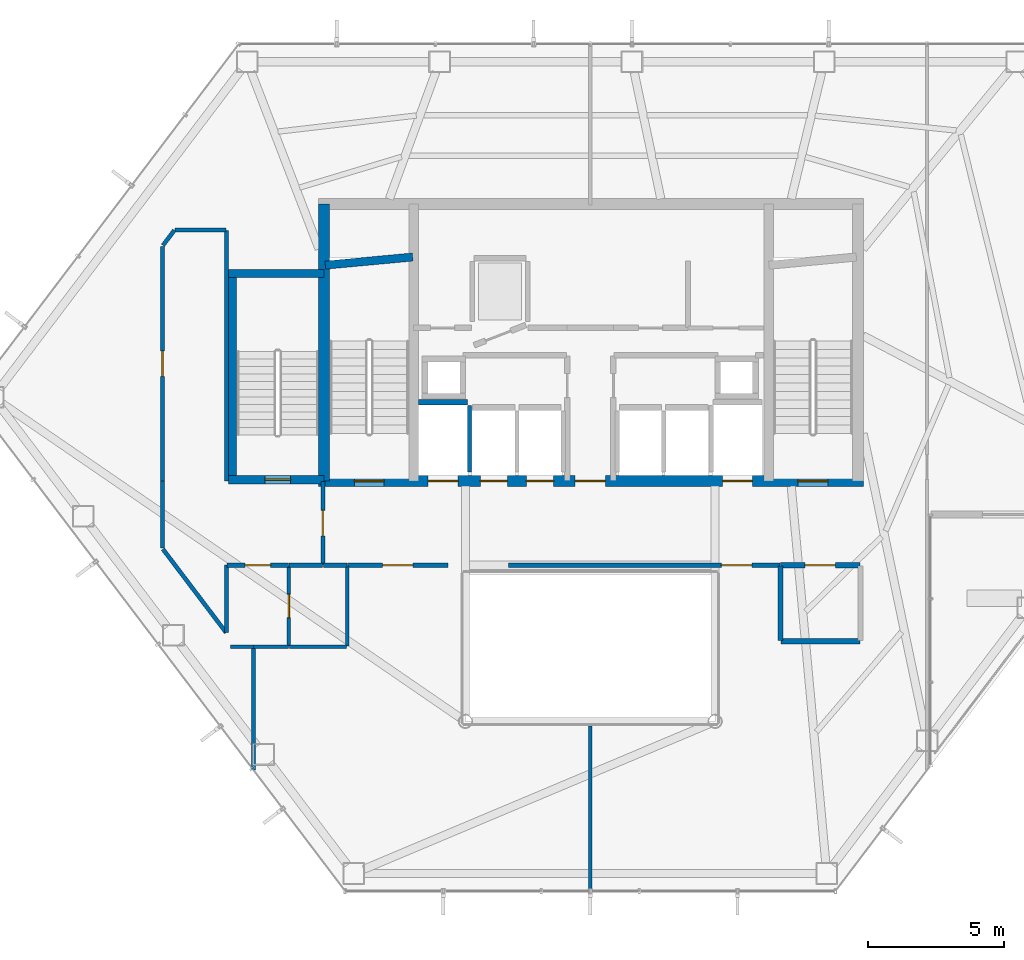
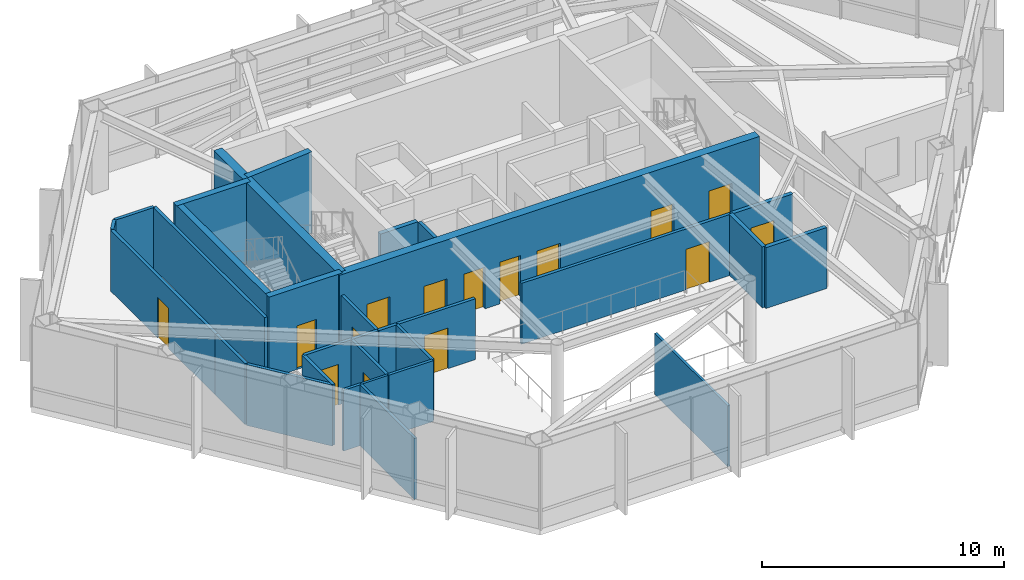
# One storey, part 22 of 27: 31 walls, 15 doors, 15 openings.
"""IFC4 building model written with IfcOpenShell, lengths in metres."""

from ifc_helpers import new_model, si_unit, direction, frame, frame_2d, origin, place, context, subcontext, project, spatial, rectangle, extrude, material, layer, layer_set, type_object, element, fill, save


model = new_model("IFC4")

# Units and contexts
model_context = context("Model", 3, precision=1e-05, world=origin(), true_north=direction((0.0, 1.0)))
body_context = subcontext(model_context, "Body", "Model", "MODEL_VIEW")
ifc_project = project(units=[si_unit("LENGTHUNIT", "METRE"), si_unit("AREAUNIT", "SQUARE_METRE"), si_unit("VOLUMEUNIT", "CUBIC_METRE"), si_unit("PLANEANGLEUNIT", "RADIAN"), si_unit("MASSUNIT", "GRAM", prefix="KILO")], contexts=[model_context])

# Site, building, storey
site_placement = place(None, origin())
site = spatial("IfcSite", under=ifc_project, at=site_placement, CompositionType="ELEMENT")
building_placement = place(site_placement, origin())
building = spatial("IfcBuilding", under=site, at=building_placement, Name="Zarrinselat Tower", CompositionType="ELEMENT")
storey_placement = place(building_placement, frame((0.0, 0.0, 114.580078125)))
storey = spatial("IfcBuildingStorey", under=building, at=storey_placement, Name="L27", CompositionType="ELEMENT", Elevation=114.580078125)

# Wall, opening, door
ifc_material_1 = material(Name="Concrete C40/50", Category="concrete")
ifc_layer_1 = layer(ifc_material_1, 0.18994140625)
ifc_layer_set_1 = layer_set([ifc_layer_1], Name="Concrete C40/50")
wall_type_1 = type_object("IfcWallType", Name="WAL-PART-EI120", PredefinedType="PARTITIONING", material=ifc_layer_set_1)
wall_1_placement = place(storey_placement, frame((45.405029296875, 30.14990234375, 0.0), z_axis=(0.0, 0.0, 1.0), x_axis=(1.0, 0.0, 0.0)))
wall_1 = element("IfcWall", 1, at=wall_1_placement, inside=storey, type_object=wall_type_1, Name="L27 Partition Wall 12", PredefinedType="PARTITIONING", context=body_context, shape_type="SweptSolid", body=[
    extrude(rectangle(XDim=2.925048828125, YDim=0.18994140625, at=frame_2d((1.46240234375, 0.0))), origin(), (0.0, 0.0, 1.0), 3.076904296875),
])
opening_1_placement = place(wall_1_placement, frame((0.902587890625, 0.0, 0.0)))
opening_1 = element("IfcOpeningElement", 2, at=opening_1_placement, cuts=wall_1, Name="Opening ID-02", PredefinedType="OPENING", context=body_context, shape_type="SweptSolid", body=[
    extrude(rectangle(XDim=1.1201171875, YDim=2.050048828125, at=frame_2d((0.56005859375, 1.02490234375))), frame((0.0, 0.10498046875, 0.0), z_axis=(0.0, -1.0, 0.0), x_axis=(1.0, 0.0, 0.0)), (0.0, 0.0, 1.0), 0.2099609375),
])
ifc_material_2 = material(Name="Steel S355J2", Category="steel")
door_type_1 = type_object("IfcDoorType", Name="DR-INT-FD60-W", OperationType="NOTDEFINED", PredefinedType="DOOR", material=ifc_material_2)
door_1_placement = place(opening_1_placement, origin())
door_1 = element("IfcDoor", 3, at=door_1_placement, inside=storey, type_object=door_type_1, Name="L27 Interior Door P12", OperationType="SINGLE_SWING_LEFT", OverallHeight=2.050048828125, OverallWidth=1.1201171875, PredefinedType="DOOR", context=body_context, shape_type="SweptSolid", body=[
    extrude(rectangle(XDim=1.1201171875, YDim=2.050048828125, at=frame_2d((0.56005859375, 1.02490234375))), frame((0.0, 0.02490234375, 0.0), z_axis=(0.0, -1.0, 0.0), x_axis=(1.0, 0.0, 0.0)), (0.0, 0.0, 1.0), 0.050048828125),
])
fill(opening_1, door_1)

# Walls
wall_2_placement = place(storey_placement, frame((45.419921875, 27.35009765625, 0.0), z_axis=(0.0, 0.0, 1.0), x_axis=(1.0, 0.0, 0.0)))
element("IfcWall", 4, at=wall_2_placement, inside=storey, type_object=wall_type_1, Name="L27 Partition Wall 17", PredefinedType="PARTITIONING", context=body_context, shape_type="SweptSolid", body=[
    extrude(rectangle(XDim=2.91015625, YDim=0.18994140625, at=frame_2d((1.455078125, 0.0))), origin(), (0.0, 0.0, 1.0), 3.076904296875),
])
wall_3_placement = place(storey_placement, frame((45.39990234375, 27.3701171875, 0.0), z_axis=(0.0, 0.0, 1.0), x_axis=(0.0, 1.0, 0.0)))
element("IfcWall", 5, at=wall_3_placement, inside=storey, type_object=wall_type_1, Name="L27 Partition Wall 18", PredefinedType="PARTITIONING", context=body_context, shape_type="SweptSolid", body=[
    extrude(rectangle(XDim=2.759765625, YDim=0.18994140625, at=frame_2d((1.3798828125, 0.0))), origin(), (0.0, 0.0, 1.0), 3.076904296875),
])

# Wall, opening, door
ifc_material_3 = material(Name="Fire-Rated Gypsum Board Partition", Category="gypsum")
ifc_layer_2 = layer(ifc_material_3, 0.14990234375)
ifc_layer_set_2 = layer_set([ifc_layer_2], Name="Fire-Rated Gypsum Board Partition")
wall_type_2 = type_object("IfcWallType", Name="WAL-PART-EI60", PredefinedType="PARTITIONING", material=ifc_layer_set_2)
wall_4_placement = place(storey_placement, frame((28.550048828125, 30.169921875, 0.0), z_axis=(0.0, 0.0, 1.0), x_axis=(0.0, 1.0, 0.0)))
wall_4 = element("IfcWall", 6, at=wall_4_placement, inside=storey, type_object=wall_type_2, Name="L27 Partition Wall 13", PredefinedType="PARTITIONING", context=body_context, shape_type="SweptSolid", body=[
    extrude(rectangle(XDim=3.065185546875, YDim=0.14990234375, at=frame_2d((1.53271484375, 0.0))), origin(), (0.0, 0.0, 1.0), 3.076904296875),
])
opening_2_placement = place(wall_4_placement, frame((1.0625, 0.0, 0.0)))
opening_2 = element("IfcOpeningElement", 7, at=opening_2_placement, cuts=wall_4, Name="Opening ID-04", PredefinedType="OPENING", context=body_context, shape_type="SweptSolid", body=[
    extrude(rectangle(XDim=0.93994140625, YDim=2.050048828125, at=frame_2d((0.469970703125, 1.02490234375))), frame((0.0, 0.0849609375, 0.0), z_axis=(0.0, -1.0, 0.0), x_axis=(1.0, 0.0, 0.0)), (0.0, 0.0, 1.0), 0.169921875),
])
ifc_material_4 = material(Name="Fire-Rated Gypsum Board Partition")
door_type_2 = type_object("IfcDoorType", Name="DR-INT-FD30-ENT", OperationType="NOTDEFINED", PredefinedType="DOOR", material=ifc_material_4)
door_2_placement = place(opening_2_placement, origin())
door_2 = element("IfcDoor", 8, at=door_2_placement, inside=storey, type_object=door_type_2, Name="L27 Interior Door P13", OperationType="SINGLE_SWING_RIGHT", OverallHeight=2.050048828125, OverallWidth=0.93994140625, PredefinedType="DOOR", context=body_context, shape_type="SweptSolid", body=[
    extrude(rectangle(XDim=0.93994140625, YDim=2.050048828125, at=frame_2d((0.469970703125, 1.02490234375))), frame((0.0, 0.02490234375, 0.0), z_axis=(0.0, -1.0, 0.0), x_axis=(1.0, 0.0, 0.0)), (0.0, 0.0, 1.0), 0.050048828125),
])
fill(opening_2, door_2)

# Wall
wall_5_placement = place(storey_placement, frame((28.570068359375, 30.14990234375, 0.0), z_axis=(0.0, 0.0, 1.0), x_axis=(1.0, 0.0, 0.0)))
element("IfcWall", 9, at=wall_5_placement, inside=storey, type_object=wall_type_2, Name="L27 Partition Wall 14", PredefinedType="PARTITIONING", context=body_context, shape_type="SweptSolid", body=[
    extrude(rectangle(XDim=0.875, YDim=0.14990234375, at=frame_2d((0.4375, 0.0))), origin(), (0.0, 0.0, 1.0), 3.076904296875),
])

# Wall, opening, door
wall_6_placement = place(storey_placement, frame((29.455078125, 30.14990234375, 0.0), z_axis=(0.0, 0.0, 1.0), x_axis=(1.0, 0.0, 0.0)))
wall_6 = element("IfcWall", 10, at=wall_6_placement, inside=storey, type_object=wall_type_2, Name="L27 Partition Wall 15", PredefinedType="PARTITIONING", context=body_context, shape_type="SweptSolid", body=[
    extrude(rectangle(XDim=3.7099609375, YDim=0.14990234375, at=frame_2d((1.85498046875, 0.0))), origin(), (0.0, 0.0, 1.0), 3.076904296875),
])
opening_3_placement = place(wall_6_placement, frame((1.294921875, 0.0, 0.0)))
opening_3 = element("IfcOpeningElement", 11, at=opening_3_placement, cuts=wall_6, Name="Opening ID-02", PredefinedType="OPENING", context=body_context, shape_type="SweptSolid", body=[
    extrude(rectangle(XDim=1.1201171875, YDim=2.050048828125, at=frame_2d((0.56005859375, 1.02490234375))), frame((0.0, 0.0849609375, 0.0), z_axis=(0.0, -1.0, 0.0), x_axis=(1.0, 0.0, 0.0)), (0.0, 0.0, 1.0), 0.169921875),
])
door_3_placement = place(opening_3_placement, origin())
door_3 = element("IfcDoor", 12, at=door_3_placement, inside=storey, type_object=door_type_1, Name="L27 Interior Door P15", OperationType="SINGLE_SWING_LEFT", OverallHeight=2.050048828125, OverallWidth=1.1201171875, PredefinedType="DOOR", context=body_context, shape_type="SweptSolid", body=[
    extrude(rectangle(XDim=1.1201171875, YDim=2.050048828125, at=frame_2d((0.56005859375, 1.02490234375))), frame((0.0, 0.02490234375, 0.0), z_axis=(0.0, -1.0, 0.0), x_axis=(1.0, 0.0, 0.0)), (0.0, 0.0, 1.0), 0.050048828125),
])
fill(opening_3, door_3)

wall_7_placement = place(storey_placement, frame((35.385009765625, 30.14990234375, 0.0), z_axis=(0.0, 0.0, 1.0), x_axis=(1.0, 0.0, 0.0)))
wall_7 = element("IfcWall", 13, at=wall_7_placement, inside=storey, type_object=wall_type_2, Name="L27 Partition Wall 16", PredefinedType="PARTITIONING", context=body_context, shape_type="SweptSolid", body=[
    extrude(rectangle(XDim=10.010009765625, YDim=0.14990234375, at=frame_2d((5.0048828125, 0.0))), origin(), (0.0, 0.0, 1.0), 3.076904296875),
])
opening_4_placement = place(wall_7_placement, frame((7.844970703125, 0.0, 0.0)))
opening_4 = element("IfcOpeningElement", 14, at=opening_4_placement, cuts=wall_7, Name="Opening ID-02", PredefinedType="OPENING", context=body_context, shape_type="SweptSolid", body=[
    extrude(rectangle(XDim=1.1201171875, YDim=2.050048828125, at=frame_2d((0.56005859375, 1.02490234375))), frame((0.0, 0.0849609375, 0.0), z_axis=(0.0, -1.0, 0.0), x_axis=(1.0, 0.0, 0.0)), (0.0, 0.0, 1.0), 0.169921875),
])
door_4_placement = place(opening_4_placement, origin())
door_4 = element("IfcDoor", 15, at=door_4_placement, inside=storey, type_object=door_type_1, Name="L27 Interior Door P16", OperationType="SINGLE_SWING_RIGHT", OverallHeight=2.050048828125, OverallWidth=1.1201171875, PredefinedType="DOOR", context=body_context, shape_type="SweptSolid", body=[
    extrude(rectangle(XDim=1.1201171875, YDim=2.050048828125, at=frame_2d((0.56005859375, 1.02490234375))), frame((0.0, 0.02490234375, 0.0), z_axis=(0.0, -1.0, 0.0), x_axis=(1.0, 0.0, 0.0)), (0.0, 0.0, 1.0), 0.050048828125),
])
fill(opening_4, door_4)

wall_8_placement = place(storey_placement, frame((25.014892578125, 30.14990234375, 0.0), z_axis=(0.0, 0.0, 1.0), x_axis=(1.0, 0.0, 0.0)))
wall_8 = element("IfcWall", 16, at=wall_8_placement, inside=storey, type_object=wall_type_2, Name="L27 Partition Wall 20", PredefinedType="PARTITIONING", context=body_context, shape_type="SweptSolid", body=[
    extrude(rectangle(XDim=2.280029296875, YDim=0.14990234375, at=frame_2d((1.14013671875, 0.0))), origin(), (0.0, 0.0, 1.0), 3.076904296875),
])
opening_5_placement = place(wall_8_placement, frame((0.669921875, 0.0, 0.0)))
opening_5 = element("IfcOpeningElement", 17, at=opening_5_placement, cuts=wall_8, Name="Opening ID-04", PredefinedType="OPENING", context=body_context, shape_type="SweptSolid", body=[
    extrude(rectangle(XDim=0.93994140625, YDim=2.050048828125, at=frame_2d((0.469970703125, 1.02490234375))), frame((0.0, 0.0849609375, 0.0), z_axis=(0.0, -1.0, 0.0), x_axis=(1.0, 0.0, 0.0)), (0.0, 0.0, 1.0), 0.169921875),
])
door_5_placement = place(opening_5_placement, origin())
door_5 = element("IfcDoor", 18, at=door_5_placement, inside=storey, type_object=door_type_2, Name="L27 Interior Door P20", OperationType="SINGLE_SWING_LEFT", OverallHeight=2.050048828125, OverallWidth=0.93994140625, PredefinedType="DOOR", context=body_context, shape_type="SweptSolid", body=[
    extrude(rectangle(XDim=0.93994140625, YDim=2.050048828125, at=frame_2d((0.469970703125, 1.02490234375))), frame((0.0, 0.02490234375, 0.0), z_axis=(0.0, -1.0, 0.0), x_axis=(1.0, 0.0, 0.0)), (0.0, 0.0, 1.0), 0.050048828125),
])
fill(opening_5, door_5)

# Walls
wall_9_placement = place(storey_placement, frame((27.304931640625, 30.14990234375, 0.0), z_axis=(0.0, 0.0, 1.0), x_axis=(1.0, 0.0, 0.0)))
element("IfcWall", 19, at=wall_9_placement, inside=storey, type_object=wall_type_2, Name="L27 Partition Wall 21", PredefinedType="PARTITIONING", context=body_context, shape_type="SweptSolid", body=[
    extrude(rectangle(XDim=1.22509765625, YDim=0.14990234375, at=frame_2d((0.612548828125, 0.0))), origin(), (0.0, 0.0, 1.0), 3.076904296875),
])
wall_10_placement = place(storey_placement, frame((25.0, 27.675048828125, 0.0), z_axis=(0.0, 0.0, 1.0), x_axis=(0.0, 1.0, 0.0)))
element("IfcWall", 20, at=wall_10_placement, inside=storey, type_object=wall_type_2, Name="L27 Partition Wall 22", PredefinedType="PARTITIONING", context=body_context, shape_type="SweptSolid", body=[
    extrude(rectangle(XDim=2.474853515625, YDim=0.14990234375, at=frame_2d((1.2373046875, 0.0))), origin(), (0.0, 0.0, 1.0), 3.076904296875),
])
wall_11_placement = place(storey_placement, frame((22.662109375, 30.7412109375, 0.0), z_axis=(0.0, 0.0, 1.0), x_axis=(0.603806431354, -0.797130976349, 0.0)))
element("IfcWall", 21, at=wall_11_placement, inside=storey, type_object=wall_type_2, Name="L27 Partition Wall 23", PredefinedType="PARTITIONING", context=body_context, shape_type="SweptSolid", body=[
    extrude(rectangle(XDim=3.851806640625, YDim=0.14990234375, at=frame_2d((1.92578125, 0.0))), origin(), (0.0, 0.0, 1.0), 3.076904296875),
])
wall_12_placement = place(storey_placement, frame((22.64990234375, 30.777099609375, 0.0), z_axis=(0.0, 0.0, 1.0), x_axis=(0.0, 1.0, 0.0)))
element("IfcWall", 22, at=wall_12_placement, inside=storey, type_object=wall_type_2, Name="L27 Partition Wall 24", PredefinedType="PARTITIONING", context=body_context, shape_type="SweptSolid", body=[
    extrude(rectangle(XDim=2.472900390625, YDim=0.14990234375, at=frame_2d((1.236328125, 0.0))), origin(), (0.0, 0.0, 1.0), 3.076904296875),
])

# Wall, opening, door
wall_13_placement = place(storey_placement, frame((22.64990234375, 33.25, 0.0), z_axis=(0.0, 0.0, 1.0), x_axis=(0.0, 1.0, 0.0)))
wall_13 = element("IfcWall", 23, at=wall_13_placement, inside=storey, type_object=wall_type_2, Name="L27 Partition Wall 25", PredefinedType="PARTITIONING", context=body_context, shape_type="SweptSolid", body=[
    extrude(rectangle(XDim=8.643310546875, YDim=0.14990234375, at=frame_2d((4.32177734375, 0.0))), origin(), (0.0, 0.0, 1.0), 3.076904296875),
])
opening_6_placement = place(wall_13_placement, frame((3.8515625, 0.0, 0.0)))
opening_6 = element("IfcOpeningElement", 24, at=opening_6_placement, cuts=wall_13, Name="Opening ID-04", PredefinedType="OPENING", context=body_context, shape_type="SweptSolid", body=[
    extrude(rectangle(XDim=0.93994140625, YDim=2.050048828125, at=frame_2d((0.469970703125, 1.02490234375))), frame((0.0, 0.0849609375, 0.0), z_axis=(0.0, -1.0, 0.0), x_axis=(1.0, 0.0, 0.0)), (0.0, 0.0, 1.0), 0.169921875),
])
door_6_placement = place(opening_6_placement, origin())
door_6 = element("IfcDoor", 25, at=door_6_placement, inside=storey, type_object=door_type_2, Name="L27 Interior Door P25", OperationType="SINGLE_SWING_RIGHT", OverallHeight=2.050048828125, OverallWidth=0.93994140625, PredefinedType="DOOR", context=body_context, shape_type="SweptSolid", body=[
    extrude(rectangle(XDim=0.93994140625, YDim=2.050048828125, at=frame_2d((0.469970703125, 1.02490234375))), frame((0.0, 0.02490234375, 0.0), z_axis=(0.0, -1.0, 0.0), x_axis=(1.0, 0.0, 0.0)), (0.0, 0.0, 1.0), 0.050048828125),
])
fill(opening_6, door_6)

# Walls
wall_14_placement = place(storey_placement, frame((22.662109375, 41.92919921875, 0.0), z_axis=(0.0, 0.0, 1.0), x_axis=(0.603864439616, 0.797087033245, 0.0)))
element("IfcWall", 26, at=wall_14_placement, inside=storey, type_object=wall_type_2, Name="L27 Partition Wall 26", PredefinedType="PARTITIONING", context=body_context, shape_type="SweptSolid", body=[
    extrude(rectangle(XDim=0.6962890625, YDim=0.14990234375, at=frame_2d((0.34814453125, 0.0))), origin(), (0.0, 0.0, 1.0), 3.076904296875),
])
wall_15_placement = place(storey_placement, frame((23.114501953125, 42.5, 0.0), z_axis=(0.0, 0.0, 1.0), x_axis=(1.0, 0.0, 0.0)))
element("IfcWall", 27, at=wall_15_placement, inside=storey, type_object=wall_type_2, Name="L27 Partition Wall 27", PredefinedType="PARTITIONING", context=body_context, shape_type="SweptSolid", body=[
    extrude(rectangle(XDim=1.865478515625, YDim=0.14990234375, at=frame_2d((0.9326171875, 0.0))), origin(), (0.0, 0.0, 1.0), 3.076904296875),
])
wall_16_placement = place(storey_placement, frame((25.0, 33.25, 0.0), z_axis=(0.0, 0.0, 1.0), x_axis=(0.0, 1.0, 0.0)))
element("IfcWall", 28, at=wall_16_placement, inside=storey, type_object=wall_type_2, Name="L27 Partition Wall 28", PredefinedType="PARTITIONING", context=body_context, shape_type="SweptSolid", body=[
    extrude(rectangle(XDim=9.22998046875, YDim=0.14990234375, at=frame_2d((4.614990234375, 0.0))), origin(), (0.0, 0.0, 1.0), 3.076904296875),
])
ifc_material_5 = material(Name="Fire-Rated Gypsum Board Partition", Category="gypsum")
ifc_layer_3 = layer(ifc_material_5, 0.1201171875)
ifc_layer_set_3 = layer_set([ifc_layer_3], Name="Fire-Rated Gypsum Board Partition")
wall_type_3 = type_object("IfcWallType", Name="WAL-PART-STD", PredefinedType="PARTITIONING", material=ifc_layer_set_3)
wall_17_placement = place(storey_placement, frame((26.0048828125, 27.14990234375, 0.0), z_axis=(0.0, 0.0, 1.0), x_axis=(1.0, 0.0, 0.0)))
element("IfcWall", 29, at=wall_17_placement, inside=storey, type_object=wall_type_3, Name="L27 Partition Wall 30", PredefinedType="PARTITIONING", context=body_context, shape_type="SweptSolid", body=[
    extrude(rectangle(XDim=1.275146484375, YDim=0.1201171875, at=frame_2d((0.6376953125, 0.0))), origin(), (0.0, 0.0, 1.0), 3.076904296875),
])
wall_18_placement = place(storey_placement, frame((38.39990234375, 18.162109375, 0.0), z_axis=(0.0, 0.0, 1.0), x_axis=(0.0, 1.0, 0.0)))
element("IfcWall", 30, at=wall_18_placement, inside=storey, type_object=wall_type_3, Name="L27 Partition Wall 34", PredefinedType="PARTITIONING", context=body_context, shape_type="SweptSolid", body=[
    extrude(rectangle(XDim=6.057861328125, YDim=0.1201171875, at=frame_2d((3.02880859375, 0.0))), origin(), (0.0, 0.0, 1.0), 3.076904296875),
])

# Wall, opening, door
ifc_material_6 = material(Name="Fire-Rated Gypsum Board Partition", Category="gypsum")
ifc_layer_4 = layer(ifc_material_6, 0.135009765625)
ifc_layer_set_4 = layer_set([ifc_layer_4], Name="Fire-Rated Gypsum Board Partition")
wall_type_4 = type_object("IfcWallType", Name="WAL-PART-WET", PredefinedType="PARTITIONING", material=ifc_layer_set_4)
wall_19_placement = place(storey_placement, frame((27.300048828125, 27.169921875, 0.0), z_axis=(0.0, 0.0, 1.0), x_axis=(0.0, 1.0, 0.0)))
wall_19 = element("IfcWall", 31, at=wall_19_placement, inside=storey, type_object=wall_type_4, Name="L27 Partition Wall 29", PredefinedType="PARTITIONING", context=body_context, shape_type="SweptSolid", body=[
    extrude(rectangle(XDim=2.9599609375, YDim=0.135009765625, at=frame_2d((1.47998046875, 0.0))), origin(), (0.0, 0.0, 1.0), 3.076904296875),
])
opening_7_placement = place(wall_19_placement, frame((1.050048828125, 0.0, 0.0)))
opening_7 = element("IfcOpeningElement", 32, at=opening_7_placement, cuts=wall_19, Name="Opening ID-06", PredefinedType="OPENING", context=body_context, shape_type="SweptSolid", body=[
    extrude(rectangle(XDim=0.860107421875, YDim=2.050048828125, at=frame_2d((0.43017578125, 1.02490234375))), frame((0.0, 0.077392578125, 0.0), z_axis=(0.0, -1.0, 0.0), x_axis=(1.0, 0.0, 0.0)), (0.0, 0.0, 1.0), 0.155029296875),
])
ifc_material_7 = material(Name="Extruded Aluminium Alloy EN AW-6063 T6", Category="aluminium")
door_type_3 = type_object("IfcDoorType", Name="DR-INT-WET-900", OperationType="NOTDEFINED", PredefinedType="DOOR", material=ifc_material_7)
door_7_placement = place(opening_7_placement, origin())
door_7 = element("IfcDoor", 33, at=door_7_placement, inside=storey, type_object=door_type_3, Name="L27 Interior Door P29", OperationType="SINGLE_SWING_LEFT", OverallHeight=2.050048828125, OverallWidth=0.860107421875, PredefinedType="DOOR", context=body_context, shape_type="SweptSolid", body=[
    extrude(rectangle(XDim=0.860107421875, YDim=2.050048828125, at=frame_2d((0.43017578125, 1.02490234375))), frame((0.0, 0.02490234375, 0.0), z_axis=(0.0, -1.0, 0.0), x_axis=(1.0, 0.0, 0.0)), (0.0, 0.0, 1.0), 0.050048828125),
])
fill(opening_7, door_7)

# Walls
wall_20_placement = place(storey_placement, frame((25.14990234375, 27.14990234375, 0.0), z_axis=(0.0, 0.0, 1.0), x_axis=(1.0, 0.0, 0.0)))
element("IfcWall", 34, at=wall_20_placement, inside=storey, type_object=wall_type_4, Name="L27 Partition Wall 31", PredefinedType="PARTITIONING", context=body_context, shape_type="SweptSolid", body=[
    extrude(rectangle(XDim=0.84521484375, YDim=0.135009765625, at=frame_2d((0.422607421875, 0.0))), origin(), (0.0, 0.0, 1.0), 3.076904296875),
])
wall_21_placement = place(storey_placement, frame((27.320068359375, 27.14990234375, 0.0), z_axis=(0.0, 0.0, 1.0), x_axis=(1.0, 0.0, 0.0)))
element("IfcWall", 35, at=wall_21_placement, inside=storey, type_object=wall_type_4, Name="L27 Partition Wall 32", PredefinedType="PARTITIONING", context=body_context, shape_type="SweptSolid", body=[
    extrude(rectangle(XDim=2.10986328125, YDim=0.135009765625, at=frame_2d((1.054931640625, 0.0))), origin(), (0.0, 0.0, 1.0), 3.076904296875),
])
wall_22_placement = place(storey_placement, frame((29.449951171875, 27.169921875, 0.0), z_axis=(0.0, 0.0, 1.0), x_axis=(0.0, 1.0, 0.0)))
element("IfcWall", 36, at=wall_22_placement, inside=storey, type_object=wall_type_4, Name="L27 Partition Wall 33", PredefinedType="PARTITIONING", context=body_context, shape_type="SweptSolid", body=[
    extrude(rectangle(XDim=2.9599609375, YDim=0.135009765625, at=frame_2d((1.47998046875, 0.0))), origin(), (0.0, 0.0, 1.0), 3.076904296875),
])
wall_23_placement = place(storey_placement, frame((26.0, 22.607421875, 0.0), z_axis=(0.0, 0.0, 1.0), x_axis=(0.0, 1.0, 0.0)))
element("IfcWall", 37, at=wall_23_placement, inside=storey, type_object=wall_type_4, Name="L27 Partition Wall 35", PredefinedType="PARTITIONING", context=body_context, shape_type="SweptSolid", body=[
    extrude(rectangle(XDim=4.5224609375, YDim=0.135009765625, at=frame_2d((2.26123046875, 0.0))), origin(), (0.0, 0.0, 1.0), 3.076904296875),
])
ifc_material_8 = material(Name="Concrete C40/50", Category="concrete")
ifc_layer_5 = layer(ifc_material_8, 0.2099609375)
ifc_layer_set_5 = layer_set([ifc_layer_5], Name="Concrete C40/50")
wall_type_5 = type_object("IfcWallType", Name="WAL-SHAFT-210", PredefinedType="SOLIDWALL", material=ifc_layer_set_5)
wall_24_placement = place(storey_placement, frame((32.080078125, 36.155029296875, 0.0), z_axis=(0.0, 0.0, 1.0), x_axis=(1.0, 0.0, 0.0)))
element("IfcWall", 38, at=wall_24_placement, inside=storey, type_object=wall_type_5, Name="L27 Lift FFL1 North Shaft Wall", PredefinedType="SOLIDWALL", context=body_context, shape_type="SweptSolid", body=[
    extrude(rectangle(XDim=1.7998046875, YDim=0.2099609375, at=frame_2d((0.89990234375, 0.0))), origin(), (0.0, 0.0, 1.0), 3.092041015625),
])
wall_25_placement = place(storey_placement, frame((33.949951171875, 33.580078125, 0.0), z_axis=(0.0, 0.0, 1.0), x_axis=(0.0, 1.0, 0.0)))
element("IfcWall", 39, at=wall_25_placement, inside=storey, type_object=wall_type_5, Name="L27 Lift FFL1 E Shaft Wall", PredefinedType="SOLIDWALL", context=body_context, shape_type="SweptSolid", body=[
    extrude(rectangle(XDim=2.449951171875, YDim=0.159912109375, at=frame_2d((1.22509765625, 0.0))), origin(), (0.0, 0.0, 1.0), 3.092041015625),
])
ifc_material_9 = material(Name="Concrete C40/50", Category="concrete")
ifc_layer_6 = layer(ifc_material_9, 0.300048828125)
ifc_layer_set_6 = layer_set([ifc_layer_6], Name="Concrete C40/50")
wall_type_6 = type_object("IfcWallType", Name="WAL-SHEAR-300", PredefinedType="SHEAR", material=ifc_layer_set_6)
wall_26_placement = place(storey_placement, frame((28.639892578125, 41.199951171875, 0.0), z_axis=(0.0, 0.0, 1.0), x_axis=(0.995687118776, 0.092774789157, 0.0)))
element("IfcWall", 40, at=wall_26_placement, inside=storey, type_object=wall_type_6, Name="L27 Stair 1 North Shaft Wall", PredefinedType="SHEAR", context=body_context, shape_type="SweptSolid", body=[
    extrude(rectangle(XDim=3.234130859375, YDim=0.300048828125, at=frame_2d((1.6171875, 0.0))), origin(), (0.0, 0.0, 1.0), 4.119873046875),
])
wall_27_placement = place(storey_placement, frame((25.080078125, 40.89990234375, 0.0), z_axis=(0.0, 0.0, 1.0), x_axis=(1.0, 0.0, 0.0)))
element("IfcWall", 41, at=wall_27_placement, inside=storey, type_object=wall_type_6, Name="L27 Stair 3 North Shear Wall", PredefinedType="SHEAR", context=body_context, shape_type="SweptSolid", body=[
    extrude(rectangle(XDim=3.52001953125, YDim=0.300048828125, at=frame_2d((1.760009765625, 0.0))), origin(), (0.0, 0.0, 1.0), 4.119873046875),
])

# Wall, opening, door
wall_28_placement = place(storey_placement, frame((25.080078125, 33.300048828125, 0.0), z_axis=(0.0, 0.0, 1.0), x_axis=(1.0, 0.0, 0.0)))
wall_28 = element("IfcWall", 42, at=wall_28_placement, inside=storey, type_object=wall_type_6, Name="L27 Stair 3 South Shear Wall", PredefinedType="SHEAR", context=body_context, shape_type="SweptSolid", body=[
    extrude(rectangle(XDim=3.52001953125, YDim=0.300048828125, at=frame_2d((1.760009765625, 0.0))), origin(), (0.0, 0.0, 1.0), 4.119873046875),
])
opening_8_placement = place(wall_28_placement, frame((1.3349609375, 0.0, 0.0)))
opening_8 = element("IfcOpeningElement", 43, at=opening_8_placement, cuts=wall_28, Name="Opening SD-02", PredefinedType="OPENING", context=body_context, shape_type="SweptSolid", body=[
    extrude(rectangle(XDim=0.949951171875, YDim=2.199951171875, at=frame_2d((0.47509765625, 1.10009765625))), frame((0.0, 0.159912109375, 0.0), z_axis=(0.0, -1.0, 0.0), x_axis=(1.0, 0.0, 0.0)), (0.0, 0.0, 1.0), 0.320068359375),
])
ifc_material_10 = material(Name="Steel S355J2", Category="steel")
door_type_4 = type_object("IfcDoorType", Name="DR-STAIR-1050", OperationType="NOTDEFINED", PredefinedType="DOOR", material=ifc_material_10)
door_8_placement = place(opening_8_placement, origin())
door_8 = element("IfcDoor", 44, at=door_8_placement, inside=storey, type_object=door_type_4, Name="L27 Exit Stair 3 Fire Door", OperationType="SINGLE_SWING_LEFT", OverallHeight=2.199951171875, OverallWidth=0.949951171875, PredefinedType="DOOR", context=body_context, shape_type="SweptSolid", body=[
    extrude(rectangle(XDim=0.949951171875, YDim=2.199951171875, at=frame_2d((0.47509765625, 1.10009765625))), frame((0.0, 0.02490234375, 0.0), z_axis=(0.0, -1.0, 0.0), x_axis=(1.0, 0.0, 0.0)), (0.0, 0.0, 1.0), 0.050048828125),
])
fill(opening_8, door_8)

# Wall
wall_29_placement = place(storey_placement, frame((25.22998046875, 33.300048828125, 0.0), z_axis=(0.0, 0.0, 1.0), x_axis=(0.0, 1.0, 0.0)))
element("IfcWall", 45, at=wall_29_placement, inside=storey, type_object=wall_type_6, Name="L27 Stair 3 West Shear Wall", PredefinedType="SHEAR", context=body_context, shape_type="SweptSolid", body=[
    extrude(rectangle(XDim=7.599853515625, YDim=0.300048828125, at=frame_2d((3.7998046875, 0.0))), origin(), (0.0, 0.0, 1.0), 4.119873046875),
])

# Wall, openings, doors
ifc_material_11 = material(Name="Concrete C60/75", Category="concrete")
ifc_layer_7 = layer(ifc_material_11, 0.39990234375)
ifc_layer_set_7 = layer_set([ifc_layer_7], Name="Concrete C60/75")
wall_type_7 = type_object("IfcWallType", Name="WAL-SHEAR-400", PredefinedType="SHEAR", material=ifc_layer_set_7)
wall_30_placement = place(storey_placement, frame((28.39990234375, 33.25, 0.0), z_axis=(0.0, 0.0, 1.0), x_axis=(1.0, 0.0, 0.0)))
wall_30 = element("IfcWall", 46, at=wall_30_placement, inside=storey, type_object=wall_type_7, Name="L27 South Core Shear Wall", PredefinedType="SHEAR", context=body_context, shape_type="SweptSolid", body=[
    extrude(rectangle(XDim=20.06005859375, YDim=0.39990234375, at=frame_2d((10.030029296875, 0.0))), origin(), (0.0, 0.0, 1.0), 4.119873046875),
])
opening_9_placement = place(wall_30_placement, frame((4.030029296875, 0.0, 0.0)))
opening_9 = element("IfcOpeningElement", 47, at=opening_9_placement, cuts=wall_30, Name="Opening LD-FFL1", PredefinedType="OPENING", context=body_context, shape_type="SweptSolid", body=[
    extrude(rectangle(XDim=1.10009765625, YDim=2.14990234375, at=frame_2d((0.550048828125, 1.074951171875))), frame((0.0, 0.2099609375, 0.0), z_axis=(0.0, -1.0, 0.0), x_axis=(1.0, 0.0, 0.0)), (0.0, 0.0, 1.0), 0.419921875),
])
opening_10_placement = place(wall_30_placement, frame((14.8701171875, 0.0, 0.0)))
opening_10 = element("IfcOpeningElement", 48, at=opening_10_placement, cuts=wall_30, Name="Opening LD-FFL2", PredefinedType="OPENING", context=body_context, shape_type="SweptSolid", body=[
    extrude(rectangle(XDim=1.10009765625, YDim=2.14990234375, at=frame_2d((0.550048828125, 1.074951171875))), frame((0.0, 0.2099609375, 0.0), z_axis=(0.0, -1.0, 0.0), x_axis=(1.0, 0.0, 0.0)), (0.0, 0.0, 1.0), 0.419921875),
])
opening_11_placement = place(wall_30_placement, frame((5.949951171875, 0.0, 0.0)))
opening_11 = element("IfcOpeningElement", 49, at=opening_11_placement, cuts=wall_30, Name="Opening LD-PL5", PredefinedType="OPENING", context=body_context, shape_type="SweptSolid", body=[
    extrude(rectangle(XDim=1.0, YDim=2.10009765625, at=frame_2d((0.5, 1.050048828125))), frame((0.0, 0.2099609375, 0.0), z_axis=(0.0, -1.0, 0.0), x_axis=(1.0, 0.0, 0.0)), (0.0, 0.0, 1.0), 0.419921875),
])
opening_12_placement = place(wall_30_placement, frame((7.64990234375, 0.0, 0.0)))
opening_12 = element("IfcOpeningElement", 50, at=opening_12_placement, cuts=wall_30, Name="Opening LD-PL6", PredefinedType="OPENING", context=body_context, shape_type="SweptSolid", body=[
    extrude(rectangle(XDim=1.0, YDim=2.10009765625, at=frame_2d((0.5, 1.050048828125))), frame((0.0, 0.2099609375, 0.0), z_axis=(0.0, -1.0, 0.0), x_axis=(1.0, 0.0, 0.0)), (0.0, 0.0, 1.0), 0.419921875),
])
opening_13_placement = place(wall_30_placement, frame((1.31005859375, 0.0, 0.0)))
opening_13 = element("IfcOpeningElement", 51, at=opening_13_placement, cuts=wall_30, Name="Opening SD-01", PredefinedType="OPENING", context=body_context, shape_type="SweptSolid", body=[
    extrude(rectangle(XDim=1.10009765625, YDim=2.199951171875, at=frame_2d((0.550048828125, 1.10009765625))), frame((0.0, 0.2099609375, 0.0), z_axis=(0.0, -1.0, 0.0), x_axis=(1.0, 0.0, 0.0)), (0.0, 0.0, 1.0), 0.419921875),
])
opening_14_placement = place(wall_30_placement, frame((9.43994140625, 0.0, 0.0)))
opening_14 = element("IfcOpeningElement", 52, at=opening_14_placement, cuts=wall_30, Name="Opening ID-02", PredefinedType="OPENING", context=body_context, shape_type="SweptSolid", body=[
    extrude(rectangle(XDim=1.1201171875, YDim=2.050048828125, at=frame_2d((0.56005859375, 1.02490234375))), frame((0.0, 0.2099609375, 0.0), z_axis=(0.0, -1.0, 0.0), x_axis=(1.0, 0.0, 0.0)), (0.0, 0.0, 1.0), 0.419921875),
])
opening_15_placement = place(wall_30_placement, frame((17.64990234375, 0.0, 0.0)))
opening_15 = element("IfcOpeningElement", 53, at=opening_15_placement, cuts=wall_30, Name="Opening SD-01", PredefinedType="OPENING", context=body_context, shape_type="SweptSolid", body=[
    extrude(rectangle(XDim=1.10009765625, YDim=2.199951171875, at=frame_2d((0.550048828125, 1.10009765625))), frame((0.0, 0.2099609375, 0.0), z_axis=(0.0, -1.0, 0.0), x_axis=(1.0, 0.0, 0.0)), (0.0, 0.0, 1.0), 0.419921875),
])
door_9_placement = place(opening_14_placement, origin())
door_9 = element("IfcDoor", 54, at=door_9_placement, inside=storey, type_object=door_type_1, Name="L27 Core Service Vestibule Fire Door", OperationType="SINGLE_SWING_LEFT", OverallHeight=2.050048828125, OverallWidth=1.1201171875, PredefinedType="DOOR", context=body_context, shape_type="SweptSolid", body=[
    extrude(rectangle(XDim=1.1201171875, YDim=2.050048828125, at=frame_2d((0.56005859375, 1.02490234375))), frame((0.0, 0.02490234375, 0.0), z_axis=(0.0, -1.0, 0.0), x_axis=(1.0, 0.0, 0.0)), (0.0, 0.0, 1.0), 0.050048828125),
])
fill(opening_14, door_9)
ifc_material_12 = material(Name="Steel S355J2", Category="steel")
door_type_5 = type_object("IfcDoorType", Name="DR-LIFT-FF-1100", OperationType="NOTDEFINED", PredefinedType="DOOR", material=ifc_material_12)
door_10_placement = place(opening_9_placement, origin())
door_10 = element("IfcDoor", 55, at=door_10_placement, inside=storey, type_object=door_type_5, Name="L27 Lift FFL1 Sliding Landing Door", OperationType="SLIDING_TO_LEFT", OverallHeight=2.14990234375, OverallWidth=1.10009765625, PredefinedType="DOOR", context=body_context, shape_type="SweptSolid", body=[
    extrude(rectangle(XDim=1.10009765625, YDim=2.14990234375, at=frame_2d((0.550048828125, 1.074951171875))), frame((0.0, 0.02490234375, 0.0), z_axis=(0.0, -1.0, 0.0), x_axis=(1.0, 0.0, 0.0)), (0.0, 0.0, 1.0), 0.050048828125),
])
fill(opening_9, door_10)
door_11_placement = place(opening_10_placement, origin())
door_11 = element("IfcDoor", 56, at=door_11_placement, inside=storey, type_object=door_type_5, Name="L27 Lift FFL2 Sliding Landing Door", OperationType="SLIDING_TO_RIGHT", OverallHeight=2.14990234375, OverallWidth=1.10009765625, PredefinedType="DOOR", context=body_context, shape_type="SweptSolid", body=[
    extrude(rectangle(XDim=1.10009765625, YDim=2.14990234375, at=frame_2d((0.550048828125, 1.074951171875))), frame((0.0, 0.02490234375, 0.0), z_axis=(0.0, -1.0, 0.0), x_axis=(1.0, 0.0, 0.0)), (0.0, 0.0, 1.0), 0.050048828125),
])
fill(opening_10, door_11)
ifc_material_13 = material(Name="Steel S355J2", Category="steel")
door_type_6 = type_object("IfcDoorType", Name="DR-LIFT-PS-1000", OperationType="NOTDEFINED", PredefinedType="DOOR", material=ifc_material_13)
door_12_placement = place(opening_11_placement, origin())
door_12 = element("IfcDoor", 57, at=door_12_placement, inside=storey, type_object=door_type_6, Name="L27 Lift PL5 Sliding Landing Door", OperationType="SLIDING_TO_LEFT", OverallHeight=2.10009765625, OverallWidth=1.0, PredefinedType="DOOR", context=body_context, shape_type="SweptSolid", body=[
    extrude(rectangle(XDim=1.0, YDim=2.10009765625, at=frame_2d((0.5, 1.050048828125))), frame((0.0, 0.02490234375, 0.0), z_axis=(0.0, -1.0, 0.0), x_axis=(1.0, 0.0, 0.0)), (0.0, 0.0, 1.0), 0.050048828125),
])
fill(opening_11, door_12)
door_13_placement = place(opening_12_placement, origin())
door_13 = element("IfcDoor", 58, at=door_13_placement, inside=storey, type_object=door_type_6, Name="L27 Lift PL6 Sliding Landing Door", OperationType="SLIDING_TO_RIGHT", OverallHeight=2.10009765625, OverallWidth=1.0, PredefinedType="DOOR", context=body_context, shape_type="SweptSolid", body=[
    extrude(rectangle(XDim=1.0, YDim=2.10009765625, at=frame_2d((0.5, 1.050048828125))), frame((0.0, 0.02490234375, 0.0), z_axis=(0.0, -1.0, 0.0), x_axis=(1.0, 0.0, 0.0)), (0.0, 0.0, 1.0), 0.050048828125),
])
fill(opening_12, door_13)
ifc_material_14 = material(Name="Steel S355J2", Category="steel")
door_type_7 = type_object("IfcDoorType", Name="DR-STAIR-1100", OperationType="NOTDEFINED", PredefinedType="DOOR", material=ifc_material_14)
door_14_placement = place(opening_13_placement, origin())
door_14 = element("IfcDoor", 59, at=door_14_placement, inside=storey, type_object=door_type_7, Name="L27 Exit Stair 1 Fire Door", OperationType="SINGLE_SWING_LEFT", OverallHeight=2.199951171875, OverallWidth=1.10009765625, PredefinedType="DOOR", context=body_context, shape_type="SweptSolid", body=[
    extrude(rectangle(XDim=1.10009765625, YDim=2.199951171875, at=frame_2d((0.550048828125, 1.10009765625))), frame((0.0, 0.02490234375, 0.0), z_axis=(0.0, -1.0, 0.0), x_axis=(1.0, 0.0, 0.0)), (0.0, 0.0, 1.0), 0.050048828125),
])
fill(opening_13, door_14)
door_15_placement = place(opening_15_placement, origin())
door_15 = element("IfcDoor", 60, at=door_15_placement, inside=storey, type_object=door_type_7, Name="L27 Exit Stair 2 Fire Door", OperationType="SINGLE_SWING_RIGHT", OverallHeight=2.199951171875, OverallWidth=1.10009765625, PredefinedType="DOOR", context=body_context, shape_type="SweptSolid", body=[
    extrude(rectangle(XDim=1.10009765625, YDim=2.199951171875, at=frame_2d((0.550048828125, 1.10009765625))), frame((0.0, 0.02490234375, 0.0), z_axis=(0.0, -1.0, 0.0), x_axis=(1.0, 0.0, 0.0)), (0.0, 0.0, 1.0), 0.050048828125),
])
fill(opening_15, door_15)

# Wall
wall_31_placement = place(storey_placement, frame((28.60009765625, 33.25, 0.0), z_axis=(0.0, 0.0, 1.0), x_axis=(0.0, 1.0, 0.0)))
element("IfcWall", 61, at=wall_31_placement, inside=storey, type_object=wall_type_7, Name="L27 Core Shear Wall W", PredefinedType="SHEAR", context=body_context, shape_type="SweptSolid", body=[
    extrude(rectangle(XDim=10.199951171875, YDim=0.39990234375, at=frame_2d((5.10009765625, 0.0))), origin(), (0.0, 0.0, 1.0), 4.119873046875),
])

save(model, "model.ifc")
